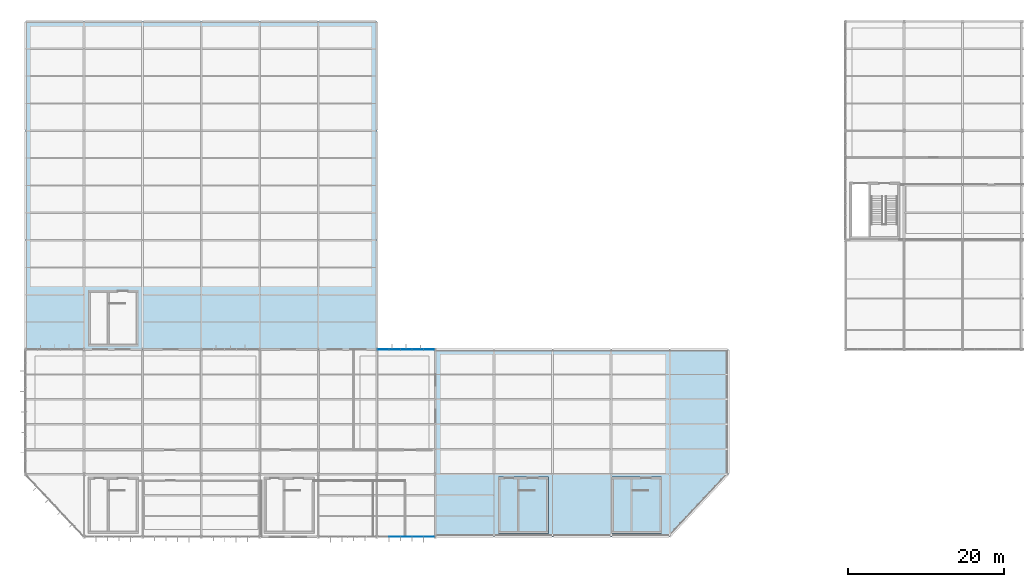
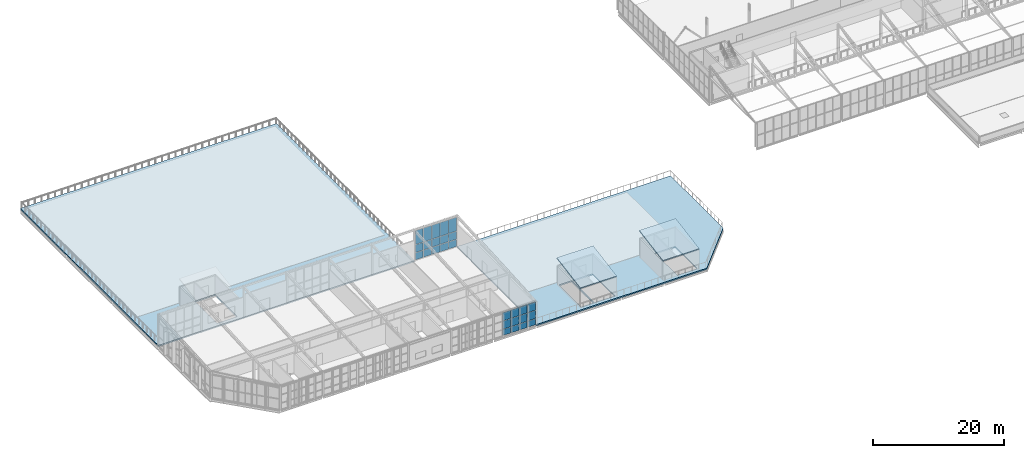
# One storey, part 86 of 104: 27 plates, 4 slabs, 2 elements without a shape of their own.
"""IFC4 building model written with IfcOpenShell, lengths in metres."""

from ifc_helpers import new_model, si_unit, direction, frame, origin, origin_2d, place, context, subcontext, project, spatial, polyline, rectangle, outline, extrude, material, layer, layer_set, type_object, element, aggregate, save


model = new_model("IFC4")

# Units and contexts
model_context = context("Model", 3, precision=1e-05, world=origin(), true_north=direction((0.0, 1.0)))
body_context = subcontext(model_context, "Body", "Model", "MODEL_VIEW")
ifc_project = project(units=[si_unit("LENGTHUNIT", "METRE"), si_unit("AREAUNIT", "SQUARE_METRE"), si_unit("VOLUMEUNIT", "CUBIC_METRE"), si_unit("PLANEANGLEUNIT", "RADIAN"), si_unit("MASSUNIT", "GRAM", prefix="KILO")], contexts=[model_context])

# Site, building, storey
site_placement = place(None, origin())
site = spatial("IfcSite", under=ifc_project, at=site_placement, CompositionType="ELEMENT")
building_placement = place(site_placement, origin())
building = spatial("IfcBuilding", under=site, at=building_placement, Name="Solvenia Promenade Tram Depot", CompositionType="ELEMENT")
storey_placement = place(building_placement, frame((0.0, 0.0, 9.0)))
storey = spatial("IfcBuildingStorey", under=building, at=storey_placement, Name="L02", CompositionType="ELEMENT", Elevation=9.0)

# Curtain wall, plates
ifc_material_1 = material(Name="Anodized aluminium AW-6063 T6", Category="aluminium")
ifc_layer_1 = layer(ifc_material_1, 0.14990234375, Name="Anodized aluminium AW-6063 T6", Category="aluminium")
ifc_layer_set_1 = layer_set([ifc_layer_1], Name="Anodized aluminium AW-6063 T6")
curtain_wall_type_1 = type_object("IfcCurtainWallType", Name="CW-Court-1500", PredefinedType="NOTDEFINED", material=ifc_layer_set_1)
curtain_wall_1_placement = place(storey_placement, origin())
curtain_wall_1 = element("IfcCurtainWall", 1, at=curtain_wall_1_placement, inside=storey, type_object=curtain_wall_type_1, Name="Curtain Wall CW-V4N-L02-07", PredefinedType="NOTDEFINED")
ifc_material_2 = material(Name="Double low-e argon insulated glass", Category="glass")
ifc_layer_2 = layer(ifc_material_2, 0.031982421875, Name="Double low-e argon insulated glass", Category="glass")
ifc_layer_set_2 = layer_set([ifc_layer_2], Name="Double low-e argon insulated glass")
plate_type_1 = type_object("IfcPlateType", Name="CWP-Panel-2", PredefinedType="CURTAIN_PANEL", material=ifc_layer_set_2)
plate_1_placement = place(storey_placement, frame((45.826416015625, 24.0, 0.06494140625), z_axis=(0.0, 0.0, 1.0), x_axis=(1.0, 0.0, 0.0)))
plate_1 = element("IfcPlate", 2, at=plate_1_placement, type_object=plate_type_1, Name="CW-5 panel 1.1", PredefinedType="CURTAIN_PANEL", context=body_context, shape_type="SweptSolid", body=[
    extrude(rectangle(XDim=1.39306640625, YDim=0.031982421875, at=origin_2d()), origin(), (0.0, 0.0, 1.0), 1.302490234375),
])
plate_2_placement = place(storey_placement, frame((45.826416015625, 24.0, 1.432373046875), z_axis=(0.0, 0.0, 1.0), x_axis=(1.0, 0.0, 0.0)))
plate_2 = element("IfcPlate", 3, at=plate_2_placement, type_object=plate_type_1, Name="CW-5 panel 1.2", PredefinedType="CURTAIN_PANEL", context=body_context, shape_type="SweptSolid", body=[
    extrude(rectangle(XDim=1.39306640625, YDim=0.031982421875, at=origin_2d()), origin(), (0.0, 0.0, 1.0), 1.43505859375),
])
plate_3_placement = place(storey_placement, frame((45.826416015625, 24.0, 2.9326171875), z_axis=(0.0, 0.0, 1.0), x_axis=(1.0, 0.0, 0.0)))
plate_3 = element("IfcPlate", 4, at=plate_3_placement, type_object=plate_type_1, Name="CW-5 panel 1.3", PredefinedType="CURTAIN_PANEL", context=body_context, shape_type="SweptSolid", body=[
    extrude(rectangle(XDim=1.39306640625, YDim=0.031982421875, at=origin_2d()), origin(), (0.0, 0.0, 1.0), 2.552490234375),
])
plate_4_placement = place(storey_placement, frame((47.281982421875, 24.0, 0.06494140625), z_axis=(0.0, 0.0, 1.0), x_axis=(1.0, 0.0, 0.0)))
plate_4 = element("IfcPlate", 5, at=plate_4_placement, type_object=plate_type_1, Name="CW-5 panel 2.1", PredefinedType="CURTAIN_PANEL", context=body_context, shape_type="SweptSolid", body=[
    extrude(rectangle(XDim=1.41796875, YDim=0.031982421875, at=origin_2d()), origin(), (0.0, 0.0, 1.0), 1.302490234375),
])
plate_5_placement = place(storey_placement, frame((47.281982421875, 24.0, 1.432373046875), z_axis=(0.0, 0.0, 1.0), x_axis=(1.0, 0.0, 0.0)))
plate_5 = element("IfcPlate", 6, at=plate_5_placement, type_object=plate_type_1, Name="CW-5 panel 2.2", PredefinedType="CURTAIN_PANEL", context=body_context, shape_type="SweptSolid", body=[
    extrude(rectangle(XDim=1.41796875, YDim=0.031982421875, at=origin_2d()), origin(), (0.0, 0.0, 1.0), 1.43505859375),
])
plate_6_placement = place(storey_placement, frame((47.281982421875, 24.0, 2.9326171875), z_axis=(0.0, 0.0, 1.0), x_axis=(1.0, 0.0, 0.0)))
plate_6 = element("IfcPlate", 7, at=plate_6_placement, type_object=plate_type_1, Name="CW-5 panel 2.3", PredefinedType="CURTAIN_PANEL", context=body_context, shape_type="SweptSolid", body=[
    extrude(rectangle(XDim=1.41796875, YDim=0.031982421875, at=origin_2d()), origin(), (0.0, 0.0, 1.0), 2.552490234375),
])
plate_7_placement = place(storey_placement, frame((48.75, 24.0, 0.06494140625), z_axis=(0.0, 0.0, 1.0), x_axis=(1.0, 0.0, 0.0)))
plate_7 = element("IfcPlate", 8, at=plate_7_placement, type_object=plate_type_1, Name="CW-5 panel 3.1", PredefinedType="CURTAIN_PANEL", context=body_context, shape_type="SweptSolid", body=[
    extrude(rectangle(XDim=1.41796875, YDim=0.031982421875, at=origin_2d()), origin(), (0.0, 0.0, 1.0), 1.302490234375),
])
plate_8_placement = place(storey_placement, frame((48.75, 24.0, 1.432373046875), z_axis=(0.0, 0.0, 1.0), x_axis=(1.0, 0.0, 0.0)))
plate_8 = element("IfcPlate", 9, at=plate_8_placement, type_object=plate_type_1, Name="CW-5 panel 3.2", PredefinedType="CURTAIN_PANEL", context=body_context, shape_type="SweptSolid", body=[
    extrude(rectangle(XDim=1.41796875, YDim=0.031982421875, at=origin_2d()), origin(), (0.0, 0.0, 1.0), 1.43505859375),
])
plate_9_placement = place(storey_placement, frame((48.75, 24.0, 2.9326171875), z_axis=(0.0, 0.0, 1.0), x_axis=(1.0, 0.0, 0.0)))
plate_9 = element("IfcPlate", 10, at=plate_9_placement, type_object=plate_type_1, Name="CW-5 panel 3.3", PredefinedType="CURTAIN_PANEL", context=body_context, shape_type="SweptSolid", body=[
    extrude(rectangle(XDim=1.41796875, YDim=0.031982421875, at=origin_2d()), origin(), (0.0, 0.0, 1.0), 2.552490234375),
])
plate_10_placement = place(storey_placement, frame((50.218017578125, 24.0, 0.06494140625), z_axis=(0.0, 0.0, 1.0), x_axis=(1.0, 0.0, 0.0)))
plate_10 = element("IfcPlate", 11, at=plate_10_placement, type_object=plate_type_1, Name="CW-5 panel 4.1", PredefinedType="CURTAIN_PANEL", context=body_context, shape_type="SweptSolid", body=[
    extrude(rectangle(XDim=1.41796875, YDim=0.031982421875, at=origin_2d()), origin(), (0.0, 0.0, 1.0), 1.302490234375),
])
plate_11_placement = place(storey_placement, frame((50.218017578125, 24.0, 1.432373046875), z_axis=(0.0, 0.0, 1.0), x_axis=(1.0, 0.0, 0.0)))
plate_11 = element("IfcPlate", 12, at=plate_11_placement, type_object=plate_type_1, Name="CW-5 panel 4.2", PredefinedType="CURTAIN_PANEL", context=body_context, shape_type="SweptSolid", body=[
    extrude(rectangle(XDim=1.41796875, YDim=0.031982421875, at=origin_2d()), origin(), (0.0, 0.0, 1.0), 1.43505859375),
])
plate_12_placement = place(storey_placement, frame((50.218017578125, 24.0, 2.9326171875), z_axis=(0.0, 0.0, 1.0), x_axis=(1.0, 0.0, 0.0)))
plate_12 = element("IfcPlate", 13, at=plate_12_placement, type_object=plate_type_1, Name="CW-5 panel 4.3", PredefinedType="CURTAIN_PANEL", context=body_context, shape_type="SweptSolid", body=[
    extrude(rectangle(XDim=1.41796875, YDim=0.031982421875, at=origin_2d()), origin(), (0.0, 0.0, 1.0), 2.552490234375),
])
plate_13_placement = place(storey_placement, frame((51.673583984375, 24.0, 0.06494140625), z_axis=(0.0, 0.0, 1.0), x_axis=(1.0, 0.0, 0.0)))
plate_13 = element("IfcPlate", 14, at=plate_13_placement, type_object=plate_type_1, Name="CW-5 panel 5.1", PredefinedType="CURTAIN_PANEL", context=body_context, shape_type="SweptSolid", body=[
    extrude(rectangle(XDim=1.39306640625, YDim=0.031982421875, at=origin_2d()), origin(), (0.0, 0.0, 1.0), 1.302490234375),
])
plate_14_placement = place(storey_placement, frame((51.673583984375, 24.0, 1.432373046875), z_axis=(0.0, 0.0, 1.0), x_axis=(1.0, 0.0, 0.0)))
plate_14 = element("IfcPlate", 15, at=plate_14_placement, type_object=plate_type_1, Name="CW-5 panel 5.2", PredefinedType="CURTAIN_PANEL", context=body_context, shape_type="SweptSolid", body=[
    extrude(rectangle(XDim=1.39306640625, YDim=0.031982421875, at=origin_2d()), origin(), (0.0, 0.0, 1.0), 1.43505859375),
])
plate_15_placement = place(storey_placement, frame((51.673583984375, 24.0, 2.9326171875), z_axis=(0.0, 0.0, 1.0), x_axis=(1.0, 0.0, 0.0)))
plate_15 = element("IfcPlate", 16, at=plate_15_placement, type_object=plate_type_1, Name="CW-5 panel 5.3", PredefinedType="CURTAIN_PANEL", context=body_context, shape_type="SweptSolid", body=[
    extrude(rectangle(XDim=1.39306640625, YDim=0.031982421875, at=origin_2d()), origin(), (0.0, 0.0, 1.0), 2.552490234375),
])
aggregate(curtain_wall_1, [plate_1, plate_2, plate_3, plate_4, plate_5, plate_6, plate_7, plate_8, plate_9, plate_10, plate_11, plate_12, plate_13, plate_14, plate_15])

ifc_layer_3 = layer(ifc_material_1, 0.179931640625, Name="Anodized aluminium AW-6063 T6", Category="aluminium")
ifc_layer_set_3 = layer_set([ifc_layer_3], Name="Anodized aluminium AW-6063 T6")
curtain_wall_type_2 = type_object("IfcCurtainWallType", Name="CW-Solar-1500", PredefinedType="NOTDEFINED", material=ifc_layer_set_3)
curtain_wall_2_placement = place(storey_placement, origin())
curtain_wall_2 = element("IfcCurtainWall", 17, at=curtain_wall_2_placement, inside=storey, type_object=curtain_wall_type_2, Name="Curtain Wall CW-V4S-L02-06", PredefinedType="NOTDEFINED")
ifc_layer_4 = layer(ifc_material_2, 0.035888671875, Name="Double low-e argon insulated glass", Category="glass")
ifc_layer_set_4 = layer_set([ifc_layer_4], Name="Double low-e argon insulated glass")
plate_type_2 = type_object("IfcPlateType", Name="CWP-Panel-3", PredefinedType="CURTAIN_PANEL", material=ifc_layer_set_4)
plate_16_placement = place(storey_placement, frame((47.281982421875, 0.0, 0.05810546875), z_axis=(0.0, 0.0, 1.0), x_axis=(1.0, 0.0, 0.0)))
plate_16 = element("IfcPlate", 18, at=plate_16_placement, type_object=plate_type_2, Name="CW-7 panel 2.1", PredefinedType="CURTAIN_PANEL", context=body_context, shape_type="SweptSolid", body=[
    extrude(rectangle(XDim=1.419921875, YDim=0.035888671875, at=origin_2d()), origin(), (0.0, 0.0, 1.0), 1.113037109375),
])
plate_17_placement = place(storey_placement, frame((47.281982421875, 0.0, 1.22900390625), z_axis=(0.0, 0.0, 1.0), x_axis=(1.0, 0.0, 0.0)))
plate_17 = element("IfcPlate", 19, at=plate_17_placement, type_object=plate_type_2, Name="CW-7 panel 2.2", PredefinedType="CURTAIN_PANEL", context=body_context, shape_type="SweptSolid", body=[
    extrude(rectangle(XDim=1.419921875, YDim=0.035888671875, at=origin_2d()), origin(), (0.0, 0.0, 1.0), 1.491943359375),
])
plate_18_placement = place(storey_placement, frame((47.281982421875, 0.0, 2.77880859375), z_axis=(0.0, 0.0, 1.0), x_axis=(1.0, 0.0, 0.0)))
plate_18 = element("IfcPlate", 20, at=plate_18_placement, type_object=plate_type_2, Name="CW-7 panel 2.3", PredefinedType="CURTAIN_PANEL", context=body_context, shape_type="SweptSolid", body=[
    extrude(rectangle(XDim=1.419921875, YDim=0.035888671875, at=origin_2d()), origin(), (0.0, 0.0, 1.0), 1.512939453125),
])
plate_19_placement = place(storey_placement, frame((48.75, 0.0, 0.05810546875), z_axis=(0.0, 0.0, 1.0), x_axis=(1.0, 0.0, 0.0)))
plate_19 = element("IfcPlate", 21, at=plate_19_placement, type_object=plate_type_2, Name="CW-7 panel 3.1", PredefinedType="CURTAIN_PANEL", context=body_context, shape_type="SweptSolid", body=[
    extrude(rectangle(XDim=1.419921875, YDim=0.035888671875, at=origin_2d()), origin(), (0.0, 0.0, 1.0), 1.113037109375),
])
plate_20_placement = place(storey_placement, frame((48.75, 0.0, 1.22900390625), z_axis=(0.0, 0.0, 1.0), x_axis=(1.0, 0.0, 0.0)))
plate_20 = element("IfcPlate", 22, at=plate_20_placement, type_object=plate_type_2, Name="CW-7 panel 3.2", PredefinedType="CURTAIN_PANEL", context=body_context, shape_type="SweptSolid", body=[
    extrude(rectangle(XDim=1.419921875, YDim=0.035888671875, at=origin_2d()), origin(), (0.0, 0.0, 1.0), 1.491943359375),
])
plate_21_placement = place(storey_placement, frame((48.75, 0.0, 2.77880859375), z_axis=(0.0, 0.0, 1.0), x_axis=(1.0, 0.0, 0.0)))
plate_21 = element("IfcPlate", 23, at=plate_21_placement, type_object=plate_type_2, Name="CW-7 panel 3.3", PredefinedType="CURTAIN_PANEL", context=body_context, shape_type="SweptSolid", body=[
    extrude(rectangle(XDim=1.419921875, YDim=0.035888671875, at=origin_2d()), origin(), (0.0, 0.0, 1.0), 1.512939453125),
])
plate_22_placement = place(storey_placement, frame((50.218017578125, 0.0, 0.05810546875), z_axis=(0.0, 0.0, 1.0), x_axis=(1.0, 0.0, 0.0)))
plate_22 = element("IfcPlate", 24, at=plate_22_placement, type_object=plate_type_2, Name="CW-7 panel 4.1", PredefinedType="CURTAIN_PANEL", context=body_context, shape_type="SweptSolid", body=[
    extrude(rectangle(XDim=1.419921875, YDim=0.035888671875, at=origin_2d()), origin(), (0.0, 0.0, 1.0), 1.113037109375),
])
plate_23_placement = place(storey_placement, frame((50.218017578125, 0.0, 1.22900390625), z_axis=(0.0, 0.0, 1.0), x_axis=(1.0, 0.0, 0.0)))
plate_23 = element("IfcPlate", 25, at=plate_23_placement, type_object=plate_type_2, Name="CW-7 panel 4.2", PredefinedType="CURTAIN_PANEL", context=body_context, shape_type="SweptSolid", body=[
    extrude(rectangle(XDim=1.419921875, YDim=0.035888671875, at=origin_2d()), origin(), (0.0, 0.0, 1.0), 1.491943359375),
])
plate_24_placement = place(storey_placement, frame((50.218017578125, 0.0, 2.77880859375), z_axis=(0.0, 0.0, 1.0), x_axis=(1.0, 0.0, 0.0)))
plate_24 = element("IfcPlate", 26, at=plate_24_placement, type_object=plate_type_2, Name="CW-7 panel 4.3", PredefinedType="CURTAIN_PANEL", context=body_context, shape_type="SweptSolid", body=[
    extrude(rectangle(XDim=1.419921875, YDim=0.035888671875, at=origin_2d()), origin(), (0.0, 0.0, 1.0), 1.512939453125),
])
plate_25_placement = place(storey_placement, frame((51.674072265625, 0.0, 0.05810546875), z_axis=(0.0, 0.0, 1.0), x_axis=(1.0, 0.0, 0.0)))
plate_25 = element("IfcPlate", 27, at=plate_25_placement, type_object=plate_type_2, Name="CW-7 panel 5.1", PredefinedType="CURTAIN_PANEL", context=body_context, shape_type="SweptSolid", body=[
    extrude(rectangle(XDim=1.39599609375, YDim=0.035888671875, at=origin_2d()), origin(), (0.0, 0.0, 1.0), 1.113037109375),
])
plate_26_placement = place(storey_placement, frame((51.674072265625, 0.0, 1.22900390625), z_axis=(0.0, 0.0, 1.0), x_axis=(1.0, 0.0, 0.0)))
plate_26 = element("IfcPlate", 28, at=plate_26_placement, type_object=plate_type_2, Name="CW-7 panel 5.2", PredefinedType="CURTAIN_PANEL", context=body_context, shape_type="SweptSolid", body=[
    extrude(rectangle(XDim=1.39599609375, YDim=0.035888671875, at=origin_2d()), origin(), (0.0, 0.0, 1.0), 1.491943359375),
])
plate_27_placement = place(storey_placement, frame((51.674072265625, 0.0, 2.77880859375), z_axis=(0.0, 0.0, 1.0), x_axis=(1.0, 0.0, 0.0)))
plate_27 = element("IfcPlate", 29, at=plate_27_placement, type_object=plate_type_2, Name="CW-7 panel 5.3", PredefinedType="CURTAIN_PANEL", context=body_context, shape_type="SweptSolid", body=[
    extrude(rectangle(XDim=1.39599609375, YDim=0.035888671875, at=origin_2d()), origin(), (0.0, 0.0, 1.0), 1.512939453125),
])
aggregate(curtain_wall_2, [plate_16, plate_17, plate_18, plate_19, plate_20, plate_21, plate_22, plate_23, plate_24, plate_25, plate_26, plate_27])

# Slabs
ifc_material_3 = material(Name="Concrete C28/35", Category="concrete")
ifc_layer_5 = layer(ifc_material_3, 0.2099609375, Name="Concrete C28/35", Category="concrete")
ifc_layer_set_5 = layer_set([ifc_layer_5], Name="Concrete C28/35")
slab_type_1 = type_object("IfcSlabType", Name="Slab-CoreCap-210", PredefinedType="ROOF", material=ifc_layer_set_5)
for number, where, z_axis, x_axis, name in (
    (30, (60.550048828125, 0.449951171875, 3.7451171875), (0.0, -0.171702060601, 0.985148923963), (1.0, 0.0, 0.0), "Core C3 Sloped Head-House Roof"),
    (31, (75.050048828125, 0.449951171875, 3.7451171875), (0.0, -0.171702060601, 0.985148923963), (1.0, 0.0, 0.0), "Core C4 Sloped Head-House Roof"),
):
    element("IfcSlab", number, at=place(storey_placement, frame(where, z_axis=z_axis, x_axis=x_axis)), inside=storey, type_object=slab_type_1, Name=name, PredefinedType="ROOF", context=body_context, shape_type="SweptSolid", body=[
        extrude(outline(polyline([(0.0, 0.0), (6.39990234375, 0.0), (6.39990234375, 7.308490114277509), (0.0, 7.308490114277509), (0.0, 0.0)])), origin(), (0.0, 0.0, -1.0), 0.2099609375),
    ])
ifc_layer_6 = layer(ifc_material_3, 0.239990234375, Name="Concrete C28/35", Category="concrete")
ifc_layer_set_6 = layer_set([ifc_layer_6], Name="Concrete C28/35")
slab_type_2 = type_object("IfcSlabType", Name="Slab-Terr-240", PredefinedType="ROOF", material=ifc_layer_set_6)
slab_1_placement = place(storey_placement, frame((0.0, 0.0, -0.239990234375)))
element("IfcSlab", 32, at=slab_1_placement, inside=storey, type_object=slab_type_2, Name="South Promenade Public Roof Terrace", PredefinedType="ROOF", context=body_context, shape_type="SweptSolid", body=[
    extrude(outline(polyline([(52.5, 0.0), (82.5, 0.0), (90.0, 8.0), (90.0, 24.0), (52.5, 24.0), (52.5, 0.0)]), holes=[polyline([(60.800048828125, 7.39990234375), (63.0, 7.39990234375), (63.0, 0.699951171875), (60.800048828125, 0.699951171875), (60.800048828125, 7.39990234375)]), polyline([(63.179931640625, 7.419921875), (66.719970703125, 7.419921875), (66.719970703125, 0.679931640625), (63.179931640625, 0.679931640625), (63.179931640625, 7.419921875)]), polyline([(77.679931640625, 7.419921875), (81.219970703125, 7.419921875), (81.219970703125, 0.679931640625), (77.679931640625, 0.679931640625), (77.679931640625, 7.419921875)])]), origin(), (0.0, 0.0, 1.0), 0.239990234375),
])
ifc_layer_7 = layer(ifc_material_3, 0.260009765625, Name="Concrete C28/35", Category="concrete")
ifc_layer_set_7 = layer_set([ifc_layer_7], Name="Concrete C28/35")
slab_type_3 = type_object("IfcSlabType", Name="Slab-Terr-260", PredefinedType="ROOF", material=ifc_layer_set_7)
slab_2_placement = place(storey_placement, frame((0.0, 0.0, -0.260009765625)))
element("IfcSlab", 33, at=slab_2_placement, inside=storey, type_object=slab_type_3, Name="Planted SUDS Roof Garden Terrace", PredefinedType="ROOF", context=body_context, shape_type="SweptSolid", body=[
    extrude(outline(polyline([(0.0, 24.0), (45.0, 24.0), (45.0, 66.0), (0.0, 66.0), (0.0, 24.0)]), holes=[polyline([(10.679931640625, 31.3701171875), (14.219970703125, 31.3701171875), (14.219970703125, 24.6298828125), (10.679931640625, 24.6298828125), (10.679931640625, 31.3701171875)])]), origin(), (0.0, 0.0, 1.0), 0.260009765625),
])

save(model, "model.ifc")
